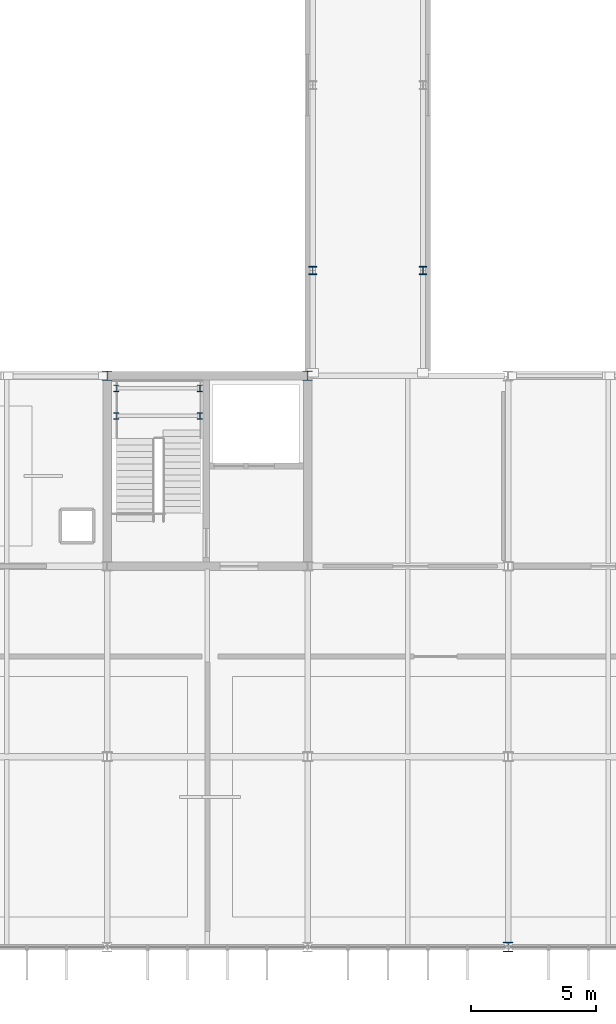
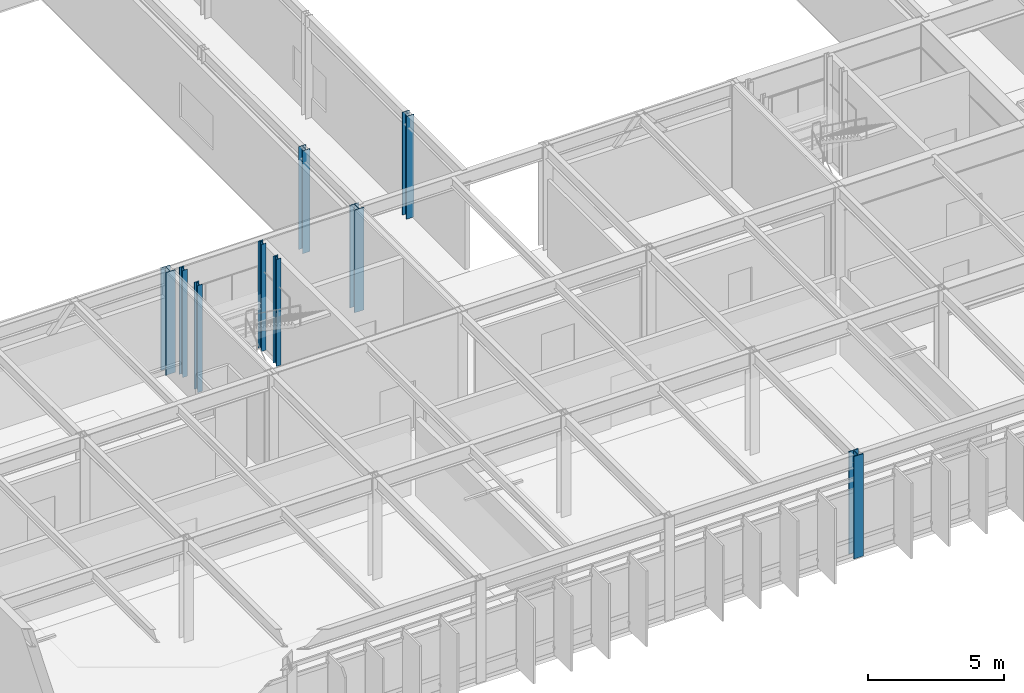
# One storey, part 2 of 104: 9 columns.
"""IFC4 building model written with IfcOpenShell, lengths in metres."""

from ifc_helpers import new_model, si_unit, direction, frame, origin, origin_2d, place, context, subcontext, project, spatial, i_section, extrude, material, material_profile, profile_set, type_object, element, save


model = new_model("IFC4")

# Units and contexts
model_context = context("Model", 3, precision=1e-05, world=origin(), true_north=direction((0.0, 1.0)))
body_context = subcontext(model_context, "Body", "Model", "MODEL_VIEW")
ifc_project = project(units=[si_unit("LENGTHUNIT", "METRE"), si_unit("AREAUNIT", "SQUARE_METRE"), si_unit("VOLUMEUNIT", "CUBIC_METRE"), si_unit("PLANEANGLEUNIT", "RADIAN"), si_unit("MASSUNIT", "GRAM", prefix="KILO")], contexts=[model_context])

# Site, building, storey
site_placement = place(None, origin())
site = spatial("IfcSite", under=ifc_project, at=site_placement, CompositionType="ELEMENT")
building_placement = place(site_placement, origin())
building = spatial("IfcBuilding", under=site, at=building_placement, Name="Zulena Civic Courthouse", CompositionType="ELEMENT")
storey_placement = place(building_placement, frame((0.0, 0.0, 10.800048828125)))
storey = spatial("IfcBuildingStorey", under=building, at=storey_placement, Name="L02", CompositionType="ELEMENT", Elevation=10.800048828125)

# Columns
ifc_material = material(Name="Steel ASTM A992 Grade 50", Category="steel")
ifc_material_profile_1 = material_profile(ifc_material, i_section(OverallWidth=0.2041015625, OverallDepth=0.257080078125, WebThickness=0.0087890625, FlangeThickness=0.015625, FilletRadius=0.0126953125, at=origin_2d()), Name="W10X45")
ifc_profile_set_1 = profile_set([ifc_material_profile_1], Name="Steel ASTM A992 Grade 50")
column_type_1 = type_object("IfcColumnType", Name="Col_W10X45", PredefinedType="COLUMN", material=ifc_profile_set_1)
for number, where, z_axis, x_axis, name in (
    (1, (20.360107421875, 21.199951171875, 0.0), (0.0, 0.0, 1.0), (1.0, 0.0, 0.0), "col:lnd:K2A:L02:0:0"),
    (2, (23.699951171875, 21.199951171875, 0.0), (0.0, 0.0, 1.0), (1.0, 0.0, 0.0), "col:lnd:K2A:L02:0:1"),
    (3, (20.360107421875, 22.300048828125, 0.0), (0.0, 0.0, 1.0), (1.0, 0.0, 0.0), "col:lnd:K2A:L02:1:0"),
    (4, (23.699951171875, 22.300048828125, 0.0), (0.0, 0.0, 1.0), (1.0, 0.0, 0.0), "col:lnd:K2A:L02:1:1"),
):
    element("IfcColumn", number, at=place(storey_placement, frame(where, z_axis=z_axis, x_axis=x_axis)), inside=storey, type_object=column_type_1, Name=name, PredefinedType="COLUMN", context=body_context, shape_type="SweptSolid", body=[
        extrude(i_section(OverallWidth=0.2041015625, OverallDepth=0.257080078125, WebThickness=0.0087890625, FlangeThickness=0.015625, FilletRadius=0.0126953125, at=origin_2d()), origin(), (0.0, 0.0, 1.0), 4.794921875),
    ])
ifc_material_profile_2 = material_profile(ifc_material, i_section(OverallWidth=0.30908203125, OverallDepth=0.322998046875, WebThickness=0.013916015625, FlangeThickness=0.02294921875, FilletRadius=0.01513671875, at=origin_2d()), Name="W12X96")
ifc_profile_set_2 = profile_set([ifc_material_profile_2], Name="Steel ASTM A992 Grade 50")
column_type_2 = type_object("IfcColumnType", Name="Col_W12X96", PredefinedType="COLUMN", material=ifc_profile_set_2)
for number, where, z_axis, x_axis, name in (
    (5, (28.199951171875, 27.0, 0.0), (0.0, 0.0, 1.0), (1.0, 0.0, 0.0), "col:bridge:BR-52J:L02:28.20:27.00"),
    (6, (32.60009765625, 27.0, 0.0), (0.0, 0.0, 1.0), (1.0, 0.0, 0.0), "col:bridge:BR-52J:L02:32.60:27.00"),
):
    element("IfcColumn", number, at=place(storey_placement, frame(where, z_axis=z_axis, x_axis=x_axis)), inside=storey, type_object=column_type_2, Name=name, PredefinedType="COLUMN", context=body_context, shape_type="SweptSolid", body=[
        extrude(i_section(OverallWidth=0.30908203125, OverallDepth=0.322998046875, WebThickness=0.013916015625, FlangeThickness=0.02294921875, FilletRadius=0.01513671875, at=origin_2d()), origin(), (0.0, 0.0, 1.0), 4.60498046875),
    ])
ifc_material_profile_3 = material_profile(ifc_material, i_section(OverallWidth=0.39892578125, OverallDepth=0.386962890625, WebThickness=0.02099609375, FlangeThickness=0.033203125, FilletRadius=0.01513671875, at=origin_2d()), Name="W14X176")
ifc_profile_set_3 = profile_set([ifc_material_profile_3], Name="Steel ASTM A992 Grade 50")
column_type_3 = type_object("IfcColumnType", Name="Col_W14X176", PredefinedType="COLUMN", material=ifc_profile_set_3)
for number, where, z_axis, x_axis, name in (
    (7, (20.0, 22.800048828125, 0.0), (0.0, 0.0, 1.0), (1.0, 0.0, 0.0), "col:V2:L02:20.0:22.8"),
    (8, (28.0, 22.800048828125, 0.0), (0.0, 0.0, 1.0), (1.0, 0.0, 0.0), "col:V2:L02:28.0:22.8"),
):
    element("IfcColumn", number, at=place(storey_placement, frame(where, z_axis=z_axis, x_axis=x_axis)), inside=storey, type_object=column_type_3, Name=name, PredefinedType="COLUMN", context=body_context, shape_type="SweptSolid", body=[
        extrude(i_section(OverallWidth=0.39892578125, OverallDepth=0.386962890625, WebThickness=0.02099609375, FlangeThickness=0.033203125, FilletRadius=0.01513671875, at=origin_2d()), origin(), (0.0, 0.0, 1.0), 4.58984375),
    ])
ifc_material_profile_4 = material_profile(ifc_material, i_section(OverallWidth=0.40087890625, OverallDepth=0.39892578125, WebThickness=0.02490234375, FlangeThickness=0.03955078125, FilletRadius=0.01513671875, at=origin_2d()), Name="W14X211")
ifc_profile_set_4 = profile_set([ifc_material_profile_4], Name="Steel ASTM A992 Grade 50")
column_type_4 = type_object("IfcColumnType", Name="Col_W14X211", PredefinedType="COLUMN", material=ifc_profile_set_4)
column_placement = place(storey_placement, frame((36.0, 0.0, 0.0), z_axis=(0.0, 0.0, 1.0), x_axis=(1.0, 0.0, 0.0)))
element("IfcColumn", 9, at=column_placement, inside=storey, type_object=column_type_4, Name="col:V2:L02:36.0:0.0", PredefinedType="COLUMN", context=body_context, shape_type="SweptSolid", body=[
    extrude(i_section(OverallWidth=0.40087890625, OverallDepth=0.39892578125, WebThickness=0.02490234375, FlangeThickness=0.03955078125, FilletRadius=0.01513671875, at=origin_2d()), origin(), (0.0, 0.0, 1.0), 4.58984375),
])

save(model, "model.ifc")
